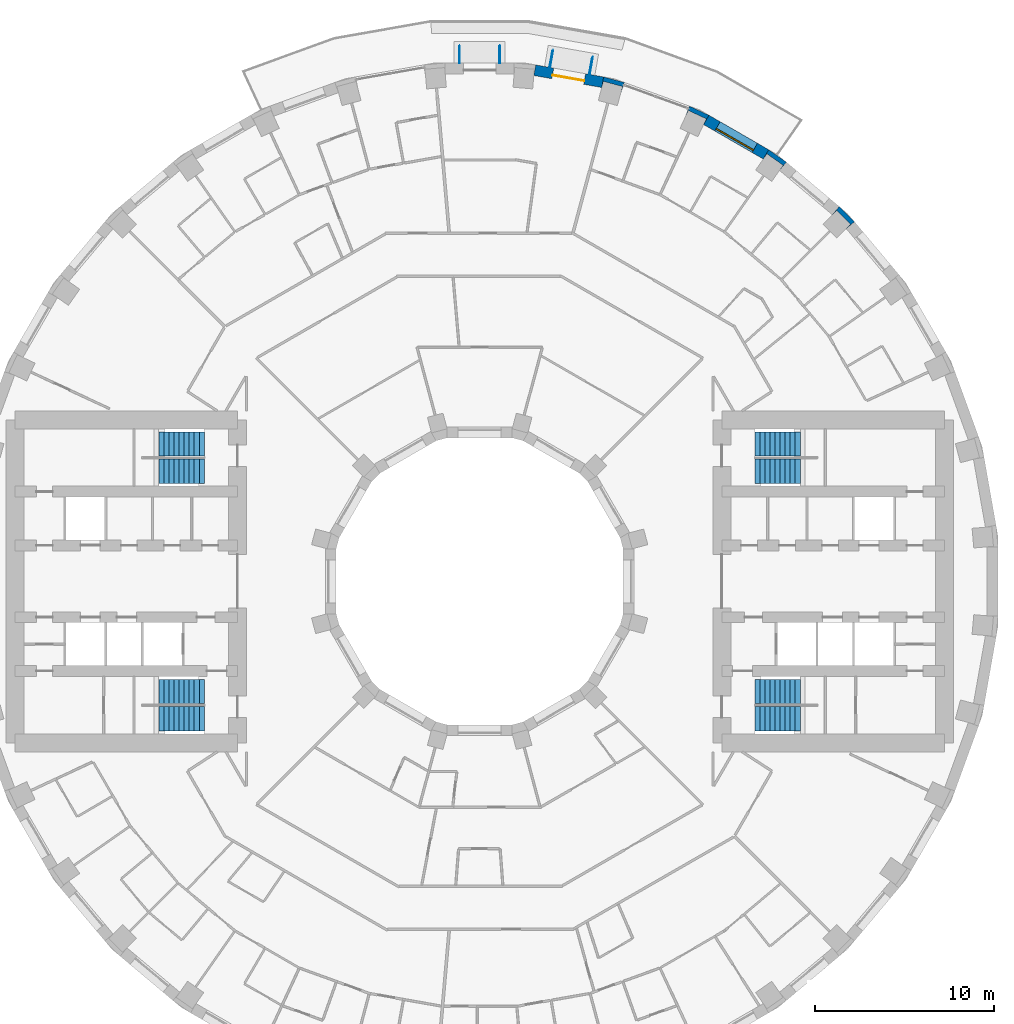
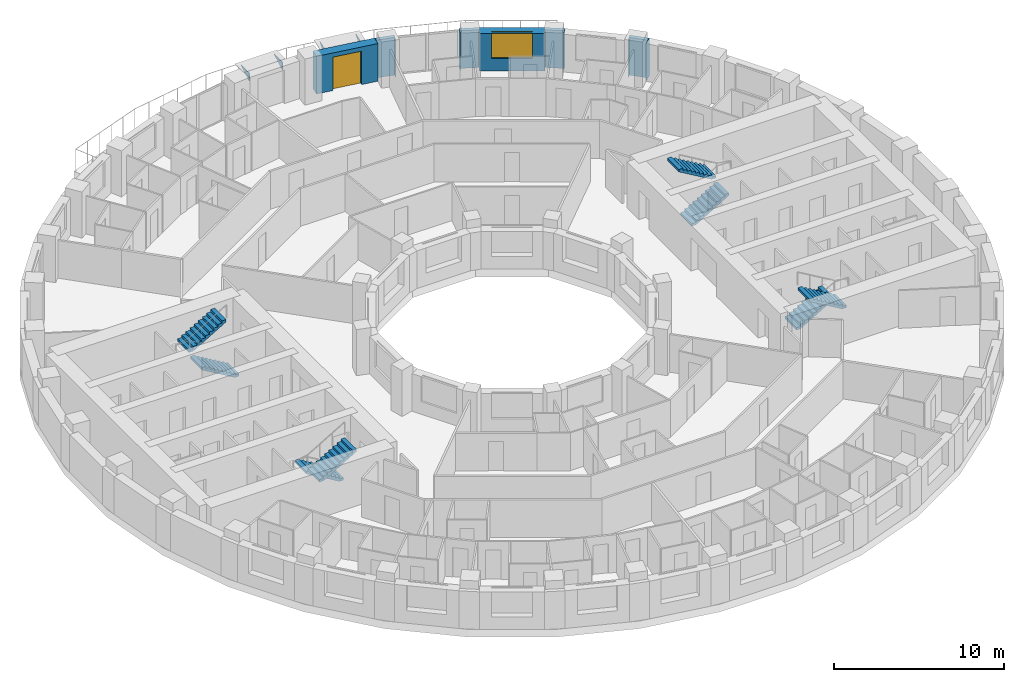
# One storey, part 14 of 15: 8 stair flights, 6 walls, 4 discrete accessories, 1 door, 1 window, 2 openings, 4 elements without a shape of their own.
"""IFC4 building model written with IfcOpenShell, lengths in metres."""

from ifc_helpers import new_model, si_unit, direction, frame, frame_2d, origin, place, context, subcontext, project, spatial, polyline, rectangle, outline, extrude, material, layer, layer_set, type_object, element, fill, aggregate, save


model = new_model("IFC4")

# Units and contexts
model_context = context("Model", 3, precision=1e-05, world=origin(), true_north=direction((0.0, 1.0)))
body_context = subcontext(model_context, "Body", "Model", "MODEL_VIEW")
ifc_project = project(units=[si_unit("LENGTHUNIT", "METRE"), si_unit("AREAUNIT", "SQUARE_METRE"), si_unit("VOLUMEUNIT", "CUBIC_METRE"), si_unit("PLANEANGLEUNIT", "RADIAN"), si_unit("MASSUNIT", "GRAM", prefix="KILO")], contexts=[model_context])

# Site, building, storey
site_placement = place(None, origin())
site = spatial("IfcSite", under=ifc_project, at=site_placement, CompositionType="ELEMENT")
building_placement = place(site_placement, origin())
building = spatial("IfcBuilding", under=site, at=building_placement, Name="Saqina Gate Tower", CompositionType="ELEMENT")
storey_placement = place(building_placement, frame((0.0, 0.0, 79.10009765625)))
storey = spatial("IfcBuildingStorey", under=building, at=storey_placement, Name="L22", CompositionType="ELEMENT", Elevation=79.10009765625)

# Walls
ifc_material_1 = material(Name="Brick masonry (red)", Category="masonry")
wall_type_1 = type_object("IfcWallType", Name="BRICK PIER COPING RED", PredefinedType="SOLIDWALL", material=ifc_material_1)
wall_1_placement = place(storey_placement, origin())
element("IfcWall", 1, at=wall_1_placement, inside=storey, type_object=wall_type_1, Name="Pier cap L22 column 5", PredefinedType="SOLIDWALL", context=body_context, shape_type="SweptSolid", body=[
    extrude(outline(polyline([(20.04296875, 20.894775390625), (19.6572265625, 20.43505859375), (19.905029296875, 20.682861328125), (20.682861328125, 19.905029296875), (20.43505859375, 19.6572265625), (20.894775390625, 20.04296875), (20.04296875, 20.894775390625)])), origin(), (0.0, 0.0, 1.0), 2.699951171875),
])
wall_2_placement = place(storey_placement, origin())
element("IfcWall", 2, at=wall_2_placement, inside=storey, type_object=wall_type_1, Name="Pier cap L22 column 6", PredefinedType="SOLIDWALL", context=body_context, shape_type="SweptSolid", body=[
    extrude(outline(polyline([(17.096923828125, 23.36669921875), (16.110107421875, 24.0576171875), (15.81005859375, 23.5380859375), (16.010986328125, 23.8251953125), (16.912109375, 23.194091796875), (16.711181640625, 22.9072265625), (17.096923828125, 23.36669921875)])), origin(), (0.0, 0.0, 1.0), 2.699951171875),
])
wall_3_placement = place(storey_placement, origin())
element("IfcWall", 3, at=wall_3_placement, inside=storey, type_object=wall_type_1, Name="Pier cap L22 column 7", PredefinedType="SOLIDWALL", context=body_context, shape_type="SweptSolid", body=[
    extrude(outline(polyline([(11.687744140625, 26.48974609375), (11.482666015625, 25.92578125), (11.630615234375, 26.243408203125), (12.627685546875, 25.778564453125), (12.4794921875, 25.4609375), (12.779541015625, 25.980712890625), (11.687744140625, 26.48974609375)])), origin(), (0.0, 0.0, 1.0), 2.699951171875),
])
wall_4_placement = place(storey_placement, origin())
element("IfcWall", 4, at=wall_4_placement, inside=storey, type_object=wall_type_1, Name="Pier cap L22 column 8", PredefinedType="SOLIDWALL", context=body_context, shape_type="SweptSolid", body=[
    extrude(outline(polyline([(6.910400390625, 28.11669921875), (6.80615234375, 27.52587890625), (6.896728515625, 27.864501953125), (7.95947265625, 27.57958984375), (7.86865234375, 27.2412109375), (8.073974609375, 27.80517578125), (6.910400390625, 28.11669921875)])), origin(), (0.0, 0.0, 1.0), 2.699951171875),
])

# Wall, opening, window
ifc_material_2 = material(Name="Brick masonry (red)", Category="masonry")
ifc_layer_1 = layer(ifc_material_2, 0.60009765625)
ifc_layer_set_1 = layer_set([ifc_layer_1], Name="FW-BRICK-RED")
wall_type_2 = type_object("IfcWallType", Name="FW-BRICK-RED", PredefinedType="SOLIDWALL", material=ifc_layer_set_1)
wall_5_placement = place(storey_placement, frame((15.960205078125, 23.7978515625, 0.0), z_axis=(0.0, 0.0, 1.0), x_axis=(-0.86603124159, 0.499989888488, 0.0)))
wall_5 = element("IfcWall", 5, at=wall_5_placement, inside=storey, type_object=wall_type_2, Name="Facade wall L22 facet 6", PredefinedType="SOLIDWALL", context=body_context, shape_type="SweptSolid", body=[
    extrude(rectangle(XDim=3.845703125, YDim=0.60009765625, at=frame_2d((1.9228515625, 0.0))), origin(), (0.0, 0.0, 1.0), 2.699951171875),
])
opening_1_placement = place(wall_5_placement, frame((0.722900390625, 0.0, 0.89990234375)))
opening_1 = element("IfcOpeningElement", 6, at=opening_1_placement, cuts=wall_5, Name="Opening G06-W04", PredefinedType="OPENING", context=body_context, shape_type="SweptSolid", body=[
    extrude(rectangle(XDim=2.39990234375, YDim=1.800048828125, at=frame_2d((1.199951171875, 0.89990234375))), frame((0.0, 0.31201171875, 0.0), z_axis=(0.0, -1.0, 0.0), x_axis=(1.0, 0.0, 0.0)), (0.0, 0.0, 1.0), 0.6240234375),
])
ifc_material_3 = material(Name="Aluminium glazing", Category="aluminium")
window_type = type_object("IfcWindowType", Name="WN-A", PartitioningType="SINGLE_PANEL", PredefinedType="WINDOW", material=ifc_material_3)
window_placement = place(opening_1_placement, origin())
window = element("IfcWindow", 7, at=window_placement, inside=storey, type_object=window_type, Name="Window L22 facet 6", OverallHeight=1.800048828125, OverallWidth=2.39990234375, PartitioningType="SINGLE_PANEL", PredefinedType="WINDOW", context=body_context, shape_type="SweptSolid", body=[
    extrude(rectangle(XDim=2.39990234375, YDim=1.800048828125, at=frame_2d((1.199951171875, 0.89990234375))), frame((0.0, 0.179931640625, 0.0), z_axis=(0.0, -1.0, 0.0), x_axis=(1.0, 0.0, 0.0)), (0.0, 0.0, 1.0), 0.06005859375),
])
fill(opening_1, window)

# Wall, opening, door
wall_6_placement = place(storey_placement, frame((6.858154296875, 27.8212890625, 0.0), z_axis=(0.0, 0.0, 1.0), x_axis=(-0.984800809218, 0.173687553279, 0.0)))
wall_6 = element("IfcWall", 8, at=wall_6_placement, inside=storey, type_object=wall_type_2, Name="Facade wall L22 facet 8", PredefinedType="SOLIDWALL", context=body_context, shape_type="SweptSolid", body=[
    extrude(rectangle(XDim=3.845703125, YDim=0.60009765625, at=frame_2d((1.9228515625, 0.0))), origin(), (0.0, 0.0, 1.0), 2.699951171875),
])
opening_2_placement = place(wall_6_placement, frame((1.02294921875, 0.0, 0.0)))
opening_2 = element("IfcOpeningElement", 9, at=opening_2_placement, cuts=wall_6, Name="Opening G06-D80", PredefinedType="OPENING", context=body_context, shape_type="SweptSolid", body=[
    extrude(rectangle(XDim=1.800048828125, YDim=2.39990234375, at=frame_2d((0.89990234375, 1.199951171875))), frame((0.0, 0.31201171875, 0.0), z_axis=(0.0, -1.0, 0.0), x_axis=(1.0, 0.0, 0.0)), (0.0, 0.0, 1.0), 0.6240234375),
])
ifc_material_4 = material(Name="Aluminium glazing", Category="aluminium")
door_type = type_object("IfcDoorType", Name="GD-A", OperationType="DOUBLE_DOOR_SINGLE_SWING", PredefinedType="DOOR", material=ifc_material_4)
door_placement = place(opening_2_placement, frame((1.800048828125, 0.0, 0.0), z_axis=(0.0, 0.0, 1.0), x_axis=(-1.0, 0.0, 0.0)))
door = element("IfcDoor", 10, at=door_placement, inside=storey, type_object=door_type, Name="Terrace door L22 facet 8", OperationType="DOUBLE_DOOR_SINGLE_SWING", OverallHeight=2.39990234375, OverallWidth=1.800048828125, PredefinedType="DOOR", context=body_context, shape_type="SweptSolid", body=[
    extrude(rectangle(XDim=1.800048828125, YDim=2.39990234375, at=frame_2d((0.89990234375, 1.199951171875))), frame((0.0, -0.0751953125, 0.0), z_axis=(0.0, -1.0, 0.0), x_axis=(1.0, 0.0, 0.0)), (0.0, 0.0, 1.0), 0.050048828125),
])
fill(opening_2, door)

# Stair, stair flights
ifc_material_5 = material(Name="Concrete C40/50", Category="concrete")
stair_type = type_object("IfcStairType", Name="EXIT STAIR", PredefinedType="HALF_TURN_STAIR", material=ifc_material_5)
stair_1_placement = place(storey_placement, origin())
stair_1 = element("IfcStair", 11, at=stair_1_placement, inside=storey, type_object=stair_type, Name="EXIT STAIR 1", PredefinedType="HALF_TURN_STAIR")
ifc_material_6 = material(Name="Concrete C40/50", Category="concrete")
stair_flight_type = type_object("IfcStairFlightType", Name="EXIT STAIR FLIGHT", PredefinedType="STRAIGHT", material=ifc_material_6)
stair_flight_1_placement = place(storey_placement, frame((15.35009765625, 6.1416015625, 0.0), z_axis=(0.0, 0.0, 1.0), x_axis=(1.0, 0.0, 0.0)))
stair_flight_1 = element("IfcStairFlight", 12, at=stair_flight_1_placement, type_object=stair_flight_type, Name="EXIT STAIR 1 FLIGHT 1", NumberOfRisers=10, NumberOfTreads=9, PredefinedType="STRAIGHT", RiserHeight=0.165, TreadLength=0.28, context=body_context, shape_type="SweptSolid", body=[
    extrude(outline(polyline([(0.0, 0.0), (0.0, 0.1650390625), (0.280029296875, 0.1650390625), (0.280029296875, 0.330078125), (0.56005859375, 0.330078125), (0.56005859375, 0.4951171875), (0.840087890625, 0.4951171875), (0.840087890625, 0.659912109375), (1.1201171875, 0.659912109375), (1.1201171875, 0.824951171875), (1.39990234375, 0.824951171875), (1.39990234375, 0.989990234375), (1.679931640625, 0.989990234375), (1.679931640625, 1.155029296875), (1.9599609375, 1.155029296875), (1.9599609375, 1.320068359375), (2.239990234375, 1.320068359375), (2.239990234375, 1.485107421875), (2.52001953125, 1.485107421875), (2.52001953125, 1.64990234375), (2.52001953125, 1.31103515625), (0.295166015625, 0.0), (0.0, 0.0)])), frame((0.0, 0.675048828125, 0.0), z_axis=(0.0, -1.0, 0.0), x_axis=(1.0, 0.0, 0.0)), (0.0, 0.0, 1.0), 1.35009765625),
])
stair_flight_2_placement = place(storey_placement, frame((17.8701171875, 7.658447265625, 1.64990234375), z_axis=(0.0, 0.0, 1.0), x_axis=(-1.0, 0.0, 0.0)))
stair_flight_2 = element("IfcStairFlight", 13, at=stair_flight_2_placement, type_object=stair_flight_type, Name="EXIT STAIR 1 FLIGHT 2", NumberOfRisers=10, NumberOfTreads=9, PredefinedType="STRAIGHT", RiserHeight=0.165, TreadLength=0.28, context=body_context, shape_type="SweptSolid", body=[
    extrude(outline(polyline([(0.0, 0.0), (0.0, 0.1650390625), (0.280029296875, 0.1650390625), (0.280029296875, 0.330078125), (0.56005859375, 0.330078125), (0.56005859375, 0.4951171875), (0.840087890625, 0.4951171875), (0.840087890625, 0.659912109375), (1.1201171875, 0.659912109375), (1.1201171875, 0.824951171875), (1.39990234375, 0.824951171875), (1.39990234375, 0.989990234375), (1.679931640625, 0.989990234375), (1.679931640625, 1.155029296875), (1.9599609375, 1.155029296875), (1.9599609375, 1.320068359375), (2.239990234375, 1.320068359375), (2.239990234375, 1.485107421875), (2.52001953125, 1.485107421875), (2.52001953125, 1.64990234375), (2.52001953125, 1.31103515625), (0.295166015625, 0.0), (0.0, 0.0)])), frame((0.0, 0.675048828125, 0.0), z_axis=(0.0, -1.0, 0.0), x_axis=(1.0, 0.0, 0.0)), (0.0, 0.0, 1.0), 1.35009765625),
])
aggregate(stair_1, [stair_flight_1, stair_flight_2])

stair_2_placement = place(storey_placement, origin())
stair_2 = element("IfcStair", 14, at=stair_2_placement, inside=storey, type_object=stair_type, Name="EXIT STAIR 2", PredefinedType="HALF_TURN_STAIR")
stair_flight_3_placement = place(storey_placement, frame((15.35009765625, -6.1416015625, 0.0), z_axis=(0.0, 0.0, 1.0), x_axis=(1.0, 0.0, 0.0)))
stair_flight_3 = element("IfcStairFlight", 15, at=stair_flight_3_placement, type_object=stair_flight_type, Name="EXIT STAIR 2 FLIGHT 1", NumberOfRisers=10, NumberOfTreads=9, PredefinedType="STRAIGHT", RiserHeight=0.165, TreadLength=0.28, context=body_context, shape_type="SweptSolid", body=[
    extrude(outline(polyline([(0.0, 0.0), (0.0, 0.1650390625), (0.280029296875, 0.1650390625), (0.280029296875, 0.330078125), (0.56005859375, 0.330078125), (0.56005859375, 0.4951171875), (0.840087890625, 0.4951171875), (0.840087890625, 0.659912109375), (1.1201171875, 0.659912109375), (1.1201171875, 0.824951171875), (1.39990234375, 0.824951171875), (1.39990234375, 0.989990234375), (1.679931640625, 0.989990234375), (1.679931640625, 1.155029296875), (1.9599609375, 1.155029296875), (1.9599609375, 1.320068359375), (2.239990234375, 1.320068359375), (2.239990234375, 1.485107421875), (2.52001953125, 1.485107421875), (2.52001953125, 1.64990234375), (2.52001953125, 1.31103515625), (0.295166015625, 0.0), (0.0, 0.0)])), frame((0.0, 0.675048828125, 0.0), z_axis=(0.0, -1.0, 0.0), x_axis=(1.0, 0.0, 0.0)), (0.0, 0.0, 1.0), 1.35009765625),
])
stair_flight_4_placement = place(storey_placement, frame((17.8701171875, -7.658447265625, 1.64990234375), z_axis=(0.0, 0.0, 1.0), x_axis=(-1.0, 0.0, 0.0)))
stair_flight_4 = element("IfcStairFlight", 16, at=stair_flight_4_placement, type_object=stair_flight_type, Name="EXIT STAIR 2 FLIGHT 2", NumberOfRisers=10, NumberOfTreads=9, PredefinedType="STRAIGHT", RiserHeight=0.165, TreadLength=0.28, context=body_context, shape_type="SweptSolid", body=[
    extrude(outline(polyline([(0.0, 0.0), (0.0, 0.1650390625), (0.280029296875, 0.1650390625), (0.280029296875, 0.330078125), (0.56005859375, 0.330078125), (0.56005859375, 0.4951171875), (0.840087890625, 0.4951171875), (0.840087890625, 0.659912109375), (1.1201171875, 0.659912109375), (1.1201171875, 0.824951171875), (1.39990234375, 0.824951171875), (1.39990234375, 0.989990234375), (1.679931640625, 0.989990234375), (1.679931640625, 1.155029296875), (1.9599609375, 1.155029296875), (1.9599609375, 1.320068359375), (2.239990234375, 1.320068359375), (2.239990234375, 1.485107421875), (2.52001953125, 1.485107421875), (2.52001953125, 1.64990234375), (2.52001953125, 1.31103515625), (0.295166015625, 0.0), (0.0, 0.0)])), frame((0.0, 0.675048828125, 0.0), z_axis=(0.0, -1.0, 0.0), x_axis=(1.0, 0.0, 0.0)), (0.0, 0.0, 1.0), 1.35009765625),
])
aggregate(stair_2, [stair_flight_3, stair_flight_4])

stair_3_placement = place(storey_placement, origin())
stair_3 = element("IfcStair", 17, at=stair_3_placement, inside=storey, type_object=stair_type, Name="EXIT STAIR 3", PredefinedType="HALF_TURN_STAIR")
stair_flight_5_placement = place(storey_placement, frame((-15.35009765625, 6.1416015625, 0.0), z_axis=(0.0, 0.0, 1.0), x_axis=(-1.0, 0.0, 0.0)))
stair_flight_5 = element("IfcStairFlight", 18, at=stair_flight_5_placement, type_object=stair_flight_type, Name="EXIT STAIR 3 FLIGHT 1", NumberOfRisers=10, NumberOfTreads=9, PredefinedType="STRAIGHT", RiserHeight=0.165, TreadLength=0.28, context=body_context, shape_type="SweptSolid", body=[
    extrude(outline(polyline([(0.0, 0.0), (0.0, 0.1650390625), (0.280029296875, 0.1650390625), (0.280029296875, 0.330078125), (0.56005859375, 0.330078125), (0.56005859375, 0.4951171875), (0.840087890625, 0.4951171875), (0.840087890625, 0.659912109375), (1.1201171875, 0.659912109375), (1.1201171875, 0.824951171875), (1.39990234375, 0.824951171875), (1.39990234375, 0.989990234375), (1.679931640625, 0.989990234375), (1.679931640625, 1.155029296875), (1.9599609375, 1.155029296875), (1.9599609375, 1.320068359375), (2.239990234375, 1.320068359375), (2.239990234375, 1.485107421875), (2.52001953125, 1.485107421875), (2.52001953125, 1.64990234375), (2.52001953125, 1.31103515625), (0.295166015625, 0.0), (0.0, 0.0)])), frame((0.0, 0.675048828125, 0.0), z_axis=(0.0, -1.0, 0.0), x_axis=(1.0, 0.0, 0.0)), (0.0, 0.0, 1.0), 1.35009765625),
])
stair_flight_6_placement = place(storey_placement, frame((-17.8701171875, 7.658447265625, 1.64990234375), z_axis=(0.0, 0.0, 1.0), x_axis=(1.0, 0.0, 0.0)))
stair_flight_6 = element("IfcStairFlight", 19, at=stair_flight_6_placement, type_object=stair_flight_type, Name="EXIT STAIR 3 FLIGHT 2", NumberOfRisers=10, NumberOfTreads=9, PredefinedType="STRAIGHT", RiserHeight=0.165, TreadLength=0.28, context=body_context, shape_type="SweptSolid", body=[
    extrude(outline(polyline([(0.0, 0.0), (0.0, 0.1650390625), (0.280029296875, 0.1650390625), (0.280029296875, 0.330078125), (0.56005859375, 0.330078125), (0.56005859375, 0.4951171875), (0.840087890625, 0.4951171875), (0.840087890625, 0.659912109375), (1.1201171875, 0.659912109375), (1.1201171875, 0.824951171875), (1.39990234375, 0.824951171875), (1.39990234375, 0.989990234375), (1.679931640625, 0.989990234375), (1.679931640625, 1.155029296875), (1.9599609375, 1.155029296875), (1.9599609375, 1.320068359375), (2.239990234375, 1.320068359375), (2.239990234375, 1.485107421875), (2.52001953125, 1.485107421875), (2.52001953125, 1.64990234375), (2.52001953125, 1.31103515625), (0.295166015625, 0.0), (0.0, 0.0)])), frame((0.0, 0.675048828125, 0.0), z_axis=(0.0, -1.0, 0.0), x_axis=(1.0, 0.0, 0.0)), (0.0, 0.0, 1.0), 1.35009765625),
])
aggregate(stair_3, [stair_flight_5, stair_flight_6])

stair_4_placement = place(storey_placement, origin())
stair_4 = element("IfcStair", 20, at=stair_4_placement, inside=storey, type_object=stair_type, Name="EXIT STAIR 4", PredefinedType="HALF_TURN_STAIR")
stair_flight_7_placement = place(storey_placement, frame((-15.35009765625, -6.1416015625, 0.0), z_axis=(0.0, 0.0, 1.0), x_axis=(-1.0, 0.0, 0.0)))
stair_flight_7 = element("IfcStairFlight", 21, at=stair_flight_7_placement, type_object=stair_flight_type, Name="EXIT STAIR 4 FLIGHT 1", NumberOfRisers=10, NumberOfTreads=9, PredefinedType="STRAIGHT", RiserHeight=0.165, TreadLength=0.28, context=body_context, shape_type="SweptSolid", body=[
    extrude(outline(polyline([(0.0, 0.0), (0.0, 0.1650390625), (0.280029296875, 0.1650390625), (0.280029296875, 0.330078125), (0.56005859375, 0.330078125), (0.56005859375, 0.4951171875), (0.840087890625, 0.4951171875), (0.840087890625, 0.659912109375), (1.1201171875, 0.659912109375), (1.1201171875, 0.824951171875), (1.39990234375, 0.824951171875), (1.39990234375, 0.989990234375), (1.679931640625, 0.989990234375), (1.679931640625, 1.155029296875), (1.9599609375, 1.155029296875), (1.9599609375, 1.320068359375), (2.239990234375, 1.320068359375), (2.239990234375, 1.485107421875), (2.52001953125, 1.485107421875), (2.52001953125, 1.64990234375), (2.52001953125, 1.31103515625), (0.295166015625, 0.0), (0.0, 0.0)])), frame((0.0, 0.675048828125, 0.0), z_axis=(0.0, -1.0, 0.0), x_axis=(1.0, 0.0, 0.0)), (0.0, 0.0, 1.0), 1.35009765625),
])
stair_flight_8_placement = place(storey_placement, frame((-17.8701171875, -7.658447265625, 1.64990234375), z_axis=(0.0, 0.0, 1.0), x_axis=(1.0, 0.0, 0.0)))
stair_flight_8 = element("IfcStairFlight", 22, at=stair_flight_8_placement, type_object=stair_flight_type, Name="EXIT STAIR 4 FLIGHT 2", NumberOfRisers=10, NumberOfTreads=9, PredefinedType="STRAIGHT", RiserHeight=0.165, TreadLength=0.28, context=body_context, shape_type="SweptSolid", body=[
    extrude(outline(polyline([(0.0, 0.0), (0.0, 0.1650390625), (0.280029296875, 0.1650390625), (0.280029296875, 0.330078125), (0.56005859375, 0.330078125), (0.56005859375, 0.4951171875), (0.840087890625, 0.4951171875), (0.840087890625, 0.659912109375), (1.1201171875, 0.659912109375), (1.1201171875, 0.824951171875), (1.39990234375, 0.824951171875), (1.39990234375, 0.989990234375), (1.679931640625, 0.989990234375), (1.679931640625, 1.155029296875), (1.9599609375, 1.155029296875), (1.9599609375, 1.320068359375), (2.239990234375, 1.320068359375), (2.239990234375, 1.485107421875), (2.52001953125, 1.485107421875), (2.52001953125, 1.64990234375), (2.52001953125, 1.31103515625), (0.295166015625, 0.0), (0.0, 0.0)])), frame((0.0, 0.675048828125, 0.0), z_axis=(0.0, -1.0, 0.0), x_axis=(1.0, 0.0, 0.0)), (0.0, 0.0, 1.0), 1.35009765625),
])
aggregate(stair_4, [stair_flight_7, stair_flight_8])

# Discrete accessories
ifc_material_7 = material(Name="Galvanised steel", Category="steel")
ifc_layer_2 = layer(ifc_material_7, 0.050048828125)
ifc_layer_set_2 = layer_set([ifc_layer_2], Name="BR-AWNING")
discrete_accessory_type = type_object("IfcDiscreteAccessoryType", Name="BR-AWNING", PredefinedType="BRACKET", material=ifc_layer_set_2)
for number, where, z_axis, x_axis, name in (
    (23, (6.097900390625, 28.260009765625, 1.974853515625), (-0.984820401928, 0.173576426815, 0.0), (0.0, 0.0, 1.0), "Awning bracket L22 facet 8"),
    (24, (3.88623046875, 28.650146484375, 1.974853515625), (-0.984820401928, 0.173576426815, 0.0), (0.0, 0.0, 1.0), "Awning bracket L22 facet 8"),
):
    element("IfcDiscreteAccessory", number, at=place(storey_placement, frame(where, z_axis=z_axis, x_axis=x_axis)), inside=storey, type_object=discrete_accessory_type, Name=name, PredefinedType="BRACKET", context=body_context, shape_type="SweptSolid", body=[
        extrude(outline(polyline([(0.0, 0.0), (0.550048828125, 0.0), (0.550048828125, 1.000043540245132), (0.0, 0.0)])), origin(), (0.0, 0.0, -1.0), 0.050048828125),
    ])
for number, where, z_axis, x_axis, name in (
    (25, (1.097900390625, 28.8896484375, 1.974853515625), (-1.0, 0.0, 0.0), (0.0, 0.0, 1.0), "Awning bracket L22 facet 9"),
    (26, (-1.14794921875, 28.8896484375, 1.974853515625), (-1.0, 0.0, 0.0), (0.0, 0.0, 1.0), "Awning bracket L22 facet 9"),
):
    element("IfcDiscreteAccessory", number, at=place(storey_placement, frame(where, z_axis=z_axis, x_axis=x_axis)), inside=storey, type_object=discrete_accessory_type, Name=name, PredefinedType="BRACKET", context=body_context, shape_type="SweptSolid", body=[
        extrude(outline(polyline([(0.0, 0.0), (0.550048828125, 0.0), (0.550048828125, 1.0), (0.0, 0.0)])), origin(), (0.0, 0.0, -1.0), 0.050048828125),
    ])

save(model, "model.ifc")
